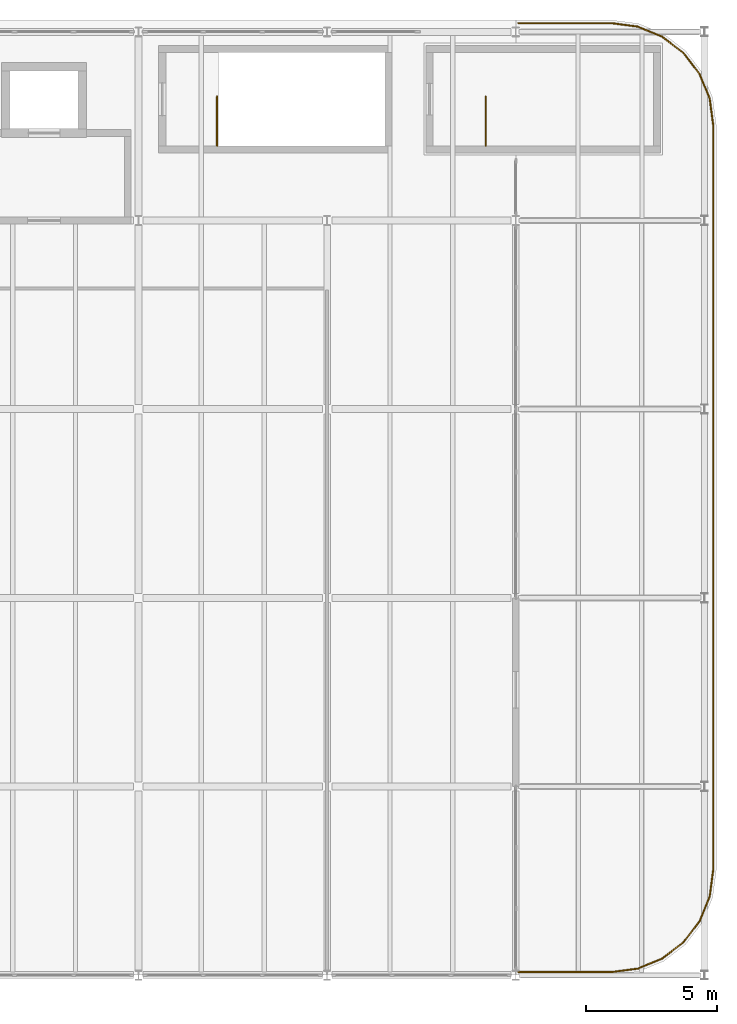
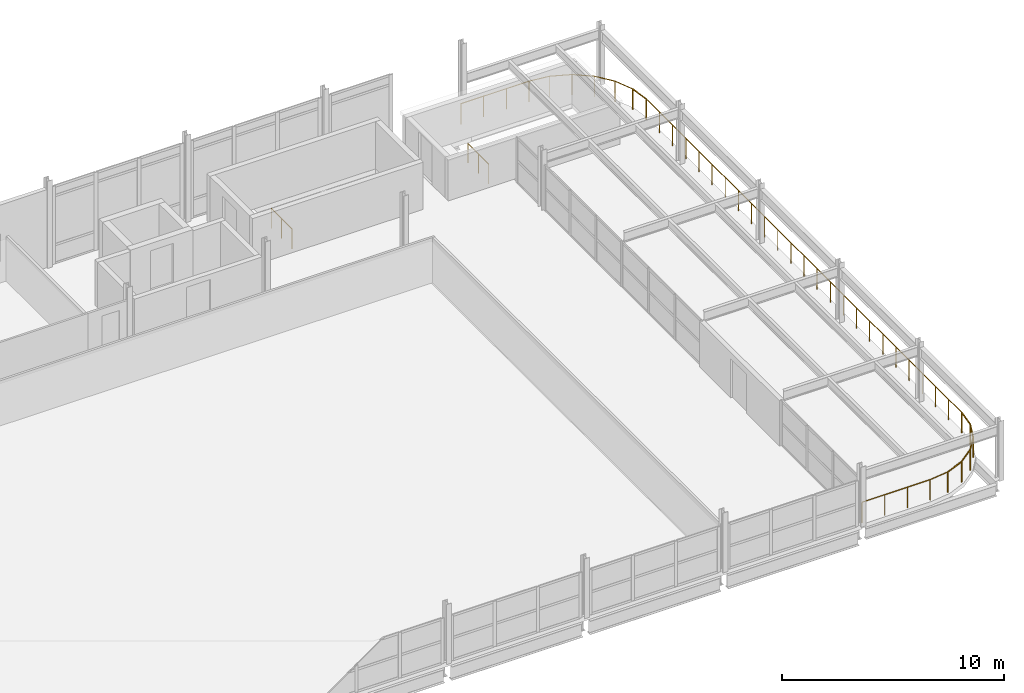
# One storey, part 25 of 25: 17 railings.
"""IFC4 building model written with IfcOpenShell, lengths in metres."""

from ifc_helpers import new_model, si_unit, direction, frame, origin, origin_2d, place, context, subcontext, project, spatial, circle, extrude, material, layer, layer_set, type_object, element, save


model = new_model("IFC4")

# Units and contexts
model_context = context("Model", 3, precision=1e-05, world=origin(), true_north=direction((0.0, 1.0)))
body_context = subcontext(model_context, "Body", "Model", "MODEL_VIEW")
ifc_project = project(units=[si_unit("LENGTHUNIT", "METRE"), si_unit("AREAUNIT", "SQUARE_METRE"), si_unit("VOLUMEUNIT", "CUBIC_METRE"), si_unit("PLANEANGLEUNIT", "RADIAN"), si_unit("MASSUNIT", "GRAM", prefix="KILO")], contexts=[model_context])

# Site, building, storey
site_placement = place(None, origin())
site = spatial("IfcSite", under=ifc_project, at=site_placement, CompositionType="ELEMENT")
building_placement = place(site_placement, origin())
building = spatial("IfcBuilding", under=site, at=building_placement, Name="Vaelcorin Mobility Hub", CompositionType="ELEMENT")
storey_placement = place(building_placement, frame((0.0, 0.0, 21.0)))
storey = spatial("IfcBuildingStorey", under=building, at=storey_placement, Name="L05", CompositionType="ELEMENT", Elevation=21.0)

# Railings
ifc_material_1 = material(Name="Anodised aluminium 6063-T6", Category="aluminium")
ifc_layer_1 = layer(ifc_material_1, 0.070068359375)
ifc_layer_set_1 = layer_set([ifc_layer_1], Name="Anodised aluminium 6063-T6")
railing_type_1 = type_object("IfcRailingType", Name="RL-GUARD-1150", PredefinedType="BALUSTRADE", material=ifc_layer_set_1)
railing_1_placement = place(storey_placement, frame((115.300048828125, 84.1201171875, 0.0)))
element("IfcRailing", 1, at=railing_1_placement, inside=storey, type_object=railing_type_1, Name="L05 Perimeter Guard GR-L05-OUTE-01", PredefinedType="BALUSTRADE", context=body_context, shape_type="SweptSolid", body=[
    extrude(circle(Radius=0.02392578125, at=origin_2d()), frame((0.0, 0.0, 1.1259765625), z_axis=(1.0, 0.0, 0.0), x_axis=(0.0, 1.0, 0.0)), (0.0, 0.0, 1.0), 3.550048828125),
    extrude(circle(Radius=0.02099609375, at=origin_2d()), origin(), (0.0, 0.0, 1.0), 1.101806640625),
    extrude(circle(Radius=0.02099609375, at=origin_2d()), frame((1.183349609375, 0.0, 0.0)), (0.0, 0.0, 1.0), 1.101806640625),
    extrude(circle(Radius=0.02099609375, at=origin_2d()), frame((2.36669921875, 0.0, 0.0)), (0.0, 0.0, 1.0), 1.101806640625),
    extrude(circle(Radius=0.02099609375, at=origin_2d()), frame((3.550048828125, 0.0, 0.0)), (0.0, 0.0, 1.0), 1.101806640625),
])
railing_2_placement = place(storey_placement, frame((118.85009765625, 84.1201171875, 0.0)))
element("IfcRailing", 2, at=railing_2_placement, inside=storey, type_object=railing_type_1, Name="L05 Perimeter Guard GR-L05-OUTE-02", PredefinedType="BALUSTRADE", context=body_context, shape_type="SweptSolid", body=[
    extrude(circle(Radius=0.02392578125, at=origin_2d()), frame((0.0, 0.0, 1.1259765625), z_axis=(0.99148709198, 0.130205016943, 0.0), x_axis=(-0.130205016943, 0.99148709198, 0.0)), (0.0, 0.0, 1.0), 1.012451171875),
    extrude(circle(Radius=0.02099609375, at=origin_2d()), origin(), (0.0, 0.0, 1.0), 1.101806640625),
    extrude(circle(Radius=0.02099609375, at=origin_2d()), frame((1.00390625, 0.1318359375, 0.0)), (0.0, 0.0, 1.0), 1.101806640625),
])
railing_3_placement = place(storey_placement, frame((119.85400390625, 84.251953125, 0.0)))
element("IfcRailing", 3, at=railing_3_placement, inside=storey, type_object=railing_type_1, Name="L05 Perimeter Guard GR-L05-OUTE-03", PredefinedType="BALUSTRADE", context=body_context, shape_type="SweptSolid", body=[
    extrude(circle(Radius=0.02392578125, at=origin_2d()), frame((0.0, 0.0, 1.1259765625), z_axis=(0.923802400786, 0.382869591771, 0.0), x_axis=(-0.382869591771, 0.923802400786, 0.0)), (0.0, 0.0, 1.0), 1.01318359375),
    extrude(circle(Radius=0.02099609375, at=origin_2d()), origin(), (0.0, 0.0, 1.0), 1.101806640625),
    extrude(circle(Radius=0.02099609375, at=origin_2d()), frame((0.93603515625, 0.387939453125, 0.0)), (0.0, 0.0, 1.0), 1.101806640625),
])
railing_4_placement = place(storey_placement, frame((120.7900390625, 84.639892578125, 0.0)))
element("IfcRailing", 4, at=railing_4_placement, inside=storey, type_object=railing_type_1, Name="L05 Perimeter Guard GR-L05-OUTE-04", PredefinedType="BALUSTRADE", context=body_context, shape_type="SweptSolid", body=[
    extrude(circle(Radius=0.02392578125, at=origin_2d()), frame((0.0, 0.0, 1.1259765625), z_axis=(0.793680061487, 0.608335400909, 0.0), x_axis=(-0.608335400909, 0.793680061487, 0.0)), (0.0, 0.0, 1.0), 1.012939453125),
    extrude(circle(Radius=0.02099609375, at=origin_2d()), origin(), (0.0, 0.0, 1.0), 1.101806640625),
    extrude(circle(Radius=0.02099609375, at=origin_2d()), frame((0.803955078125, 0.6162109375, 0.0)), (0.0, 0.0, 1.0), 1.101806640625),
])
railing_5_placement = place(storey_placement, frame((121.593994140625, 85.256103515625, 0.0)))
element("IfcRailing", 5, at=railing_5_placement, inside=storey, type_object=railing_type_1, Name="L05 Perimeter Guard GR-L05-OUTE-05", PredefinedType="BALUSTRADE", context=body_context, shape_type="SweptSolid", body=[
    extrude(circle(Radius=0.02392578125, at=origin_2d()), frame((0.0, 0.0, 1.1259765625), z_axis=(0.608183542028, 0.793796434363, 0.0), x_axis=(-0.793796434363, 0.608183542028, 0.0)), (0.0, 0.0, 1.0), 1.0126953125),
    extrude(circle(Radius=0.02099609375, at=origin_2d()), origin(), (0.0, 0.0, 1.0), 1.101806640625),
    extrude(circle(Radius=0.02099609375, at=origin_2d()), frame((0.615966796875, 0.803955078125, 0.0)), (0.0, 0.0, 1.0), 1.101806640625),
])
railing_6_placement = place(storey_placement, frame((122.2099609375, 86.06005859375, 0.0)))
element("IfcRailing", 6, at=railing_6_placement, inside=storey, type_object=railing_type_1, Name="L05 Perimeter Guard GR-L05-OUTE-06", PredefinedType="BALUSTRADE", context=body_context, shape_type="SweptSolid", body=[
    extrude(circle(Radius=0.02392578125, at=origin_2d()), frame((0.0, 0.0, 1.1259765625), z_axis=(0.382869591771, 0.923802400786, 0.0), x_axis=(-0.923802400786, 0.382869591771, 0.0)), (0.0, 0.0, 1.0), 1.01318359375),
    extrude(circle(Radius=0.02099609375, at=origin_2d()), origin(), (0.0, 0.0, 1.0), 1.101806640625),
    extrude(circle(Radius=0.02099609375, at=origin_2d()), frame((0.387939453125, 0.93603515625, 0.0)), (0.0, 0.0, 1.0), 1.101806640625),
])
railing_7_placement = place(storey_placement, frame((122.597900390625, 86.99609375, 0.0)))
element("IfcRailing", 7, at=railing_7_placement, inside=storey, type_object=railing_type_1, Name="L05 Perimeter Guard GR-L05-OUTE-07", PredefinedType="BALUSTRADE", context=body_context, shape_type="SweptSolid", body=[
    extrude(circle(Radius=0.02392578125, at=origin_2d()), frame((0.0, 0.0, 1.1259765625), z_axis=(0.130442038378, 0.991455936804, 0.0), x_axis=(-0.991455936804, 0.130442038378, 0.0)), (0.0, 0.0, 1.0), 1.012451171875),
    extrude(circle(Radius=0.02099609375, at=origin_2d()), origin(), (0.0, 0.0, 1.0), 1.101806640625),
    extrude(circle(Radius=0.02099609375, at=origin_2d()), frame((0.132080078125, 1.00390625, 0.0)), (0.0, 0.0, 1.0), 1.101806640625),
])
railing_8_placement = place(storey_placement, frame((122.72998046875, 88.0, 0.0)))
element("IfcRailing", 8, at=railing_8_placement, inside=storey, type_object=railing_type_1, Name="L05 Perimeter Guard GR-L05-OUTE-08", PredefinedType="BALUSTRADE", context=body_context, shape_type="SweptSolid", body=[
    extrude(circle(Radius=0.02392578125, at=origin_2d()), frame((0.0, 0.0, 1.1259765625), z_axis=(0.0, 1.0, 0.0), x_axis=(-1.0, 0.0, 0.0)), (0.0, 0.0, 1.0), 28.449951171875),
    extrude(circle(Radius=0.02099609375, at=origin_2d()), origin(), (0.0, 0.0, 1.0), 1.101806640625),
    extrude(circle(Radius=0.02099609375, at=origin_2d()), frame((0.0, 1.185302734375, 0.0)), (0.0, 0.0, 1.0), 1.101806640625),
    extrude(circle(Radius=0.02099609375, at=origin_2d()), frame((0.0, 2.370849609375, 0.0)), (0.0, 0.0, 1.0), 1.101806640625),
    extrude(circle(Radius=0.02099609375, at=origin_2d()), frame((0.0, 3.55615234375, 0.0)), (0.0, 0.0, 1.0), 1.101806640625),
    extrude(circle(Radius=0.02099609375, at=origin_2d()), frame((0.0, 4.74169921875, 0.0)), (0.0, 0.0, 1.0), 1.101806640625),
    extrude(circle(Radius=0.02099609375, at=origin_2d()), frame((0.0, 5.927001953125, 0.0)), (0.0, 0.0, 1.0), 1.101806640625),
    extrude(circle(Radius=0.02099609375, at=origin_2d()), frame((0.0, 7.112548828125, 0.0)), (0.0, 0.0, 1.0), 1.101806640625),
    extrude(circle(Radius=0.02099609375, at=origin_2d()), frame((0.0, 8.2978515625, 0.0)), (0.0, 0.0, 1.0), 1.101806640625),
    extrude(circle(Radius=0.02099609375, at=origin_2d()), frame((0.0, 9.4833984375, 0.0)), (0.0, 0.0, 1.0), 1.101806640625),
    extrude(circle(Radius=0.02099609375, at=origin_2d()), frame((0.0, 10.668701171875, 0.0)), (0.0, 0.0, 1.0), 1.101806640625),
    extrude(circle(Radius=0.02099609375, at=origin_2d()), frame((0.0, 11.854248046875, 0.0)), (0.0, 0.0, 1.0), 1.101806640625),
    extrude(circle(Radius=0.02099609375, at=origin_2d()), frame((0.0, 13.03955078125, 0.0)), (0.0, 0.0, 1.0), 1.101806640625),
    extrude(circle(Radius=0.02099609375, at=origin_2d()), frame((0.0, 14.22509765625, 0.0)), (0.0, 0.0, 1.0), 1.101806640625),
    extrude(circle(Radius=0.02099609375, at=origin_2d()), frame((0.0, 15.410400390625, 0.0)), (0.0, 0.0, 1.0), 1.101806640625),
    extrude(circle(Radius=0.02099609375, at=origin_2d()), frame((0.0, 16.595703125, 0.0)), (0.0, 0.0, 1.0), 1.101806640625),
    extrude(circle(Radius=0.02099609375, at=origin_2d()), frame((0.0, 17.78125, 0.0)), (0.0, 0.0, 1.0), 1.101806640625),
    extrude(circle(Radius=0.02099609375, at=origin_2d()), frame((0.0, 18.966552734375, 0.0)), (0.0, 0.0, 1.0), 1.101806640625),
    extrude(circle(Radius=0.02099609375, at=origin_2d()), frame((0.0, 20.152099609375, 0.0)), (0.0, 0.0, 1.0), 1.101806640625),
    extrude(circle(Radius=0.02099609375, at=origin_2d()), frame((0.0, 21.33740234375, 0.0)), (0.0, 0.0, 1.0), 1.101806640625),
    extrude(circle(Radius=0.02099609375, at=origin_2d()), frame((0.0, 22.52294921875, 0.0)), (0.0, 0.0, 1.0), 1.101806640625),
    extrude(circle(Radius=0.02099609375, at=origin_2d()), frame((0.0, 23.708251953125, 0.0)), (0.0, 0.0, 1.0), 1.101806640625),
    extrude(circle(Radius=0.02099609375, at=origin_2d()), frame((0.0, 24.893798828125, 0.0)), (0.0, 0.0, 1.0), 1.101806640625),
    extrude(circle(Radius=0.02099609375, at=origin_2d()), frame((0.0, 26.0791015625, 0.0)), (0.0, 0.0, 1.0), 1.101806640625),
    extrude(circle(Radius=0.02099609375, at=origin_2d()), frame((0.0, 27.2646484375, 0.0)), (0.0, 0.0, 1.0), 1.101806640625),
    extrude(circle(Radius=0.02099609375, at=origin_2d()), frame((0.0, 28.449951171875, 0.0)), (0.0, 0.0, 1.0), 1.101806640625),
])
railing_9_placement = place(storey_placement, frame((122.72998046875, 116.449951171875, 0.0)))
element("IfcRailing", 9, at=railing_9_placement, inside=storey, type_object=railing_type_1, Name="L05 Perimeter Guard GR-L05-OUTE-09", PredefinedType="BALUSTRADE", context=body_context, shape_type="SweptSolid", body=[
    extrude(circle(Radius=0.02392578125, at=origin_2d()), frame((0.0, 0.0, 1.1259765625), z_axis=(-0.130410863239, 0.991460037898, 0.0), x_axis=(-0.991460037898, -0.130410863239, 0.0)), (0.0, 0.0, 1.0), 1.0126953125),
    extrude(circle(Radius=0.02099609375, at=origin_2d()), origin(), (0.0, 0.0, 1.0), 1.101806640625),
    extrude(circle(Radius=0.02099609375, at=origin_2d()), frame((-0.132080078125, 1.004150390625, 0.0)), (0.0, 0.0, 1.0), 1.101806640625),
])
railing_10_placement = place(storey_placement, frame((122.597900390625, 117.4541015625, 0.0)))
element("IfcRailing", 10, at=railing_10_placement, inside=storey, type_object=railing_type_1, Name="L05 Perimeter Guard GR-L05-OUTE-10", PredefinedType="BALUSTRADE", context=body_context, shape_type="SweptSolid", body=[
    extrude(circle(Radius=0.02392578125, at=origin_2d()), frame((0.0, 0.0, 1.1259765625), z_axis=(-0.382954832138, 0.923767068336, 0.0), x_axis=(-0.923767068336, -0.382954832138, 0.0)), (0.0, 0.0, 1.0), 1.012939453125),
    extrude(circle(Radius=0.02099609375, at=origin_2d()), origin(), (0.0, 0.0, 1.0), 1.101806640625),
    extrude(circle(Radius=0.02099609375, at=origin_2d()), frame((-0.387939453125, 0.935791015625, 0.0)), (0.0, 0.0, 1.0), 1.101806640625),
])
railing_11_placement = place(storey_placement, frame((122.2099609375, 118.389892578125, 0.0)))
element("IfcRailing", 11, at=railing_11_placement, inside=storey, type_object=railing_type_1, Name="L05 Perimeter Guard GR-L05-OUTE-11", PredefinedType="BALUSTRADE", context=body_context, shape_type="SweptSolid", body=[
    extrude(circle(Radius=0.02392578125, at=origin_2d()), frame((0.0, 0.0, 1.1259765625), z_axis=(-0.60806718235, 0.793885572201, 0.0), x_axis=(-0.793885572201, -0.60806718235, 0.0)), (0.0, 0.0, 1.0), 1.012939453125),
    extrude(circle(Radius=0.02099609375, at=origin_2d()), origin(), (0.0, 0.0, 1.0), 1.101806640625),
    extrude(circle(Radius=0.02099609375, at=origin_2d()), frame((-0.615966796875, 0.80419921875, 0.0)), (0.0, 0.0, 1.0), 1.101806640625),
])
railing_12_placement = place(storey_placement, frame((121.593994140625, 119.194091796875, 0.0)))
element("IfcRailing", 12, at=railing_12_placement, inside=storey, type_object=railing_type_1, Name="L05 Perimeter Guard GR-L05-OUTE-12", PredefinedType="BALUSTRADE", context=body_context, shape_type="SweptSolid", body=[
    extrude(circle(Radius=0.02392578125, at=origin_2d()), frame((0.0, 0.0, 1.1259765625), z_axis=(-0.793796434363, 0.608183542028, 0.0), x_axis=(-0.608183542028, -0.793796434363, 0.0)), (0.0, 0.0, 1.0), 1.0126953125),
    extrude(circle(Radius=0.02099609375, at=origin_2d()), origin(), (0.0, 0.0, 1.0), 1.101806640625),
    extrude(circle(Radius=0.02099609375, at=origin_2d()), frame((-0.803955078125, 0.615966796875, 0.0)), (0.0, 0.0, 1.0), 1.101806640625),
])
railing_13_placement = place(storey_placement, frame((120.7900390625, 119.81005859375, 0.0)))
element("IfcRailing", 13, at=railing_13_placement, inside=storey, type_object=railing_type_1, Name="L05 Perimeter Guard GR-L05-OUTE-13", PredefinedType="BALUSTRADE", context=body_context, shape_type="SweptSolid", body=[
    extrude(circle(Radius=0.02392578125, at=origin_2d()), frame((0.0, 0.0, 1.1259765625), z_axis=(-0.923802400786, 0.382869591771, 0.0), x_axis=(-0.382869591771, -0.923802400786, 0.0)), (0.0, 0.0, 1.0), 1.01318359375),
    extrude(circle(Radius=0.02099609375, at=origin_2d()), origin(), (0.0, 0.0, 1.0), 1.101806640625),
    extrude(circle(Radius=0.02099609375, at=origin_2d()), frame((-0.93603515625, 0.387939453125, 0.0)), (0.0, 0.0, 1.0), 1.101806640625),
])
railing_14_placement = place(storey_placement, frame((119.85400390625, 120.197998046875, 0.0)))
element("IfcRailing", 14, at=railing_14_placement, inside=storey, type_object=railing_type_1, Name="L05 Perimeter Guard GR-L05-OUTE-14", PredefinedType="BALUSTRADE", context=body_context, shape_type="SweptSolid", body=[
    extrude(circle(Radius=0.02392578125, at=origin_2d()), frame((0.0, 0.0, 1.1259765625), z_axis=(-0.991455936804, 0.130442038378, 0.0), x_axis=(-0.130442038378, -0.991455936804, 0.0)), (0.0, 0.0, 1.0), 1.012451171875),
    extrude(circle(Radius=0.02099609375, at=origin_2d()), origin(), (0.0, 0.0, 1.0), 1.101806640625),
    extrude(circle(Radius=0.02099609375, at=origin_2d()), frame((-1.00390625, 0.132080078125, 0.0)), (0.0, 0.0, 1.0), 1.101806640625),
])
railing_15_placement = place(storey_placement, frame((118.85009765625, 120.330078125, 0.0)))
element("IfcRailing", 15, at=railing_15_placement, inside=storey, type_object=railing_type_1, Name="L05 Perimeter Guard GR-L05-OUTE-15", PredefinedType="BALUSTRADE", context=body_context, shape_type="SweptSolid", body=[
    extrude(circle(Radius=0.02392578125, at=origin_2d()), frame((0.0, 0.0, 1.1259765625), z_axis=(-1.0, 0.0, 0.0), x_axis=(0.0, -1.0, 0.0)), (0.0, 0.0, 1.0), 3.550048828125),
    extrude(circle(Radius=0.02099609375, at=origin_2d()), origin(), (0.0, 0.0, 1.0), 1.101806640625),
    extrude(circle(Radius=0.02099609375, at=origin_2d()), frame((-1.183349609375, 0.0, 0.0)), (0.0, 0.0, 1.0), 1.101806640625),
    extrude(circle(Radius=0.02099609375, at=origin_2d()), frame((-2.36669921875, 0.0, 0.0)), (0.0, 0.0, 1.0), 1.101806640625),
    extrude(circle(Radius=0.02099609375, at=origin_2d()), frame((-3.550048828125, 0.0, 0.0)), (0.0, 0.0, 1.0), 1.101806640625),
])
ifc_material_2 = material(Name="Brushed stainless steel 316L", Category="steel")
ifc_layer_2 = layer(ifc_material_2, 0.048095703125)
ifc_layer_set_2 = layer_set([ifc_layer_2], Name="Brushed stainless steel 316L")
railing_type_2 = type_object("IfcRailingType", Name="RL-STAIR-GRD", PredefinedType="GUARDRAIL", material=ifc_layer_set_2)
for number, where, name in (
    (16, (103.800048828125, 115.64990234375, 0.0), "L05 ST4 top well guard 1"),
    (17, (114.050048828125, 115.64990234375, 0.0), "L05 ST9 top well guard 1"),
):
    element("IfcRailing", number, at=place(storey_placement, frame(where)), inside=storey, type_object=railing_type_2, Name=name, PredefinedType="GUARDRAIL", context=body_context, shape_type="SweptSolid", body=[
        extrude(circle(Radius=0.02392578125, at=origin_2d()), frame((0.0, 0.0, 1.076171875), z_axis=(0.0, 1.0, 0.0), x_axis=(-1.0, 0.0, 0.0)), (0.0, 0.0, 1.0), 1.880126953125),
        extrude(circle(Radius=0.02099609375, at=origin_2d()), origin(), (0.0, 0.0, 1.0), 1.052001953125),
        extrude(circle(Radius=0.02099609375, at=origin_2d()), frame((0.0, 0.93994140625, 0.0)), (0.0, 0.0, 1.0), 1.052001953125),
        extrude(circle(Radius=0.02099609375, at=origin_2d()), frame((0.0, 1.880126953125, 0.0)), (0.0, 0.0, 1.0), 1.052001953125),
    ])

save(model, "model.ifc")
